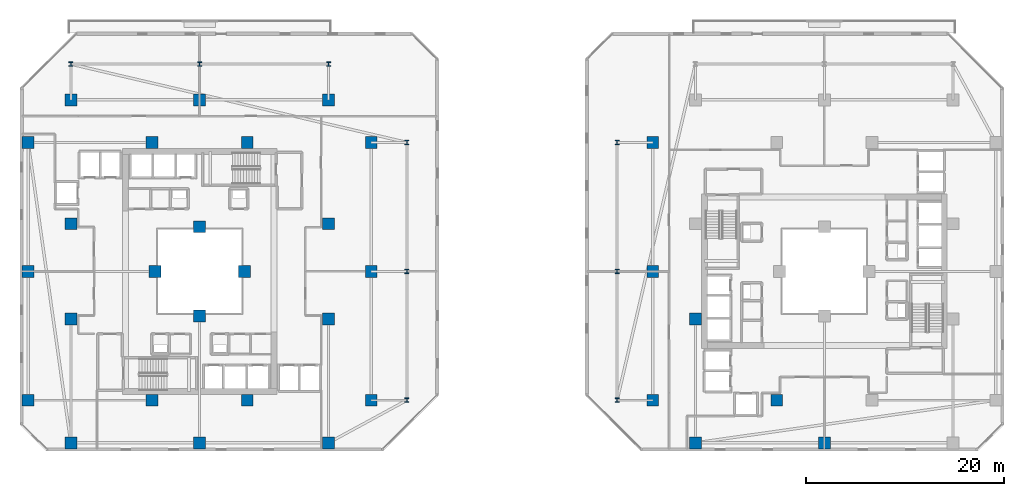
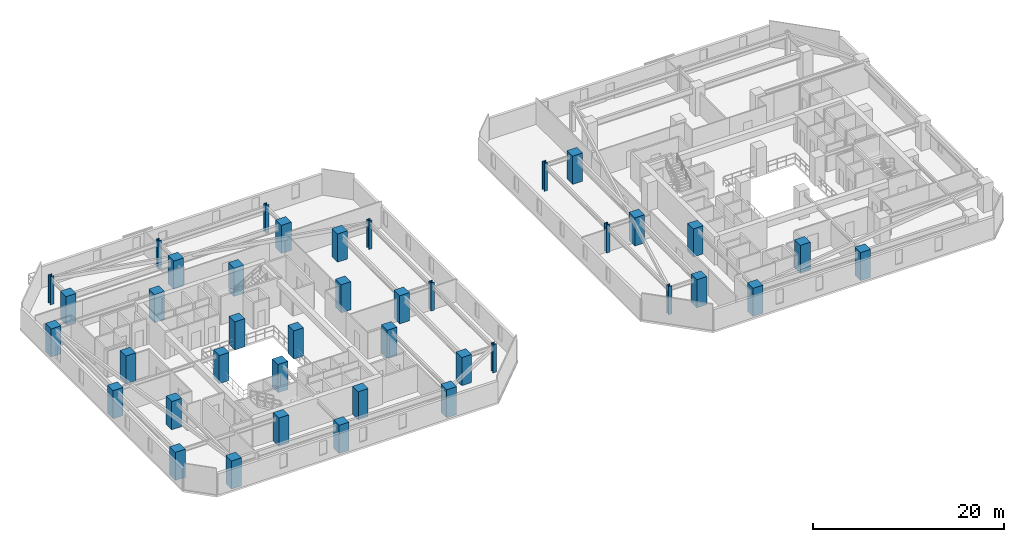
# One storey, part 1 of 29: 40 columns.
"""IFC4 building model written with IfcOpenShell, lengths in metres."""

from ifc_helpers import new_model, si_unit, direction, frame, origin, origin_2d, place, context, subcontext, project, spatial, rectangle, i_section, extrude, material, material_profile, profile_set, type_object, element, save


model = new_model("IFC4")

# Units and contexts
model_context = context("Model", 3, precision=1e-05, world=origin(), true_north=direction((0.0, 1.0)))
body_context = subcontext(model_context, "Body", "Model", "MODEL_VIEW")
ifc_project = project(units=[si_unit("LENGTHUNIT", "METRE"), si_unit("AREAUNIT", "SQUARE_METRE"), si_unit("VOLUMEUNIT", "CUBIC_METRE"), si_unit("PLANEANGLEUNIT", "RADIAN"), si_unit("MASSUNIT", "GRAM", prefix="KILO")], contexts=[model_context])

# Site, building, storey
site_placement = place(None, origin())
site = spatial("IfcSite", under=ifc_project, at=site_placement, CompositionType="ELEMENT")
building_placement = place(site_placement, origin())
building = spatial("IfcBuilding", under=site, at=building_placement, Name="Thornwick Lancets Civic Towers", CompositionType="ELEMENT")
storey_placement = place(building_placement, frame((0.0, 0.0, 83.699951171875)))
storey = spatial("IfcBuildingStorey", under=building, at=storey_placement, Name="L21", CompositionType="ELEMENT", Elevation=83.699951171875)

# Columns
ifc_material_1 = material(Name="Concrete C60/75", Category="concrete")
ifc_material_profile_1 = material_profile(ifc_material_1, rectangle(XDim=1.199951171875, YDim=1.199951171875, at=origin_2d()), Name="RC 1200x1200")
ifc_profile_set_1 = profile_set([ifc_material_profile_1], Name="Concrete C60/75")
column_type_1 = type_object("IfcColumnType", Name="COL_RC_1200", PredefinedType="COLUMN", material=ifc_profile_set_1)
for number, where, z_axis, x_axis, name in (
    (1, (12.5, 9.699951171875, 0.0), (0.0, 0.0, 1.0), (1.0, 0.0, 0.0), "L21 Spine Mega-Column A01"),
    (2, (25.5, 9.699951171875, 0.0), (0.0, 0.0, 1.0), (1.0, 0.0, 0.0), "L21 Spine Mega-Column A02"),
    (3, (38.5, 9.699951171875, 0.0), (0.0, 0.0, 1.0), (1.0, 0.0, 0.0), "L21 Spine Mega-Column A03"),
    (4, (42.800048828125, 14.0, 0.0), (0.0, 0.0, 1.0), (1.0, 0.0, 0.0), "L21 Spine Mega-Column A04"),
    (5, (42.800048828125, 27.0, 0.0), (0.0, 0.0, 1.0), (1.0, 0.0, 0.0), "L21 Spine Mega-Column A05"),
    (6, (42.800048828125, 40.0, 0.0), (0.0, 0.0, 1.0), (1.0, 0.0, 0.0), "L21 Spine Mega-Column A06"),
    (7, (12.5, 44.300048828125, 0.0), (0.0, 0.0, 1.0), (1.0, 0.0, 0.0), "L21 Spine Mega-Column A07"),
    (8, (25.5, 44.300048828125, 0.0), (0.0, 0.0, 1.0), (1.0, 0.0, 0.0), "L21 Spine Mega-Column A08"),
    (9, (38.5, 44.300048828125, 0.0), (0.0, 0.0, 1.0), (1.0, 0.0, 0.0), "L21 Spine Mega-Column A09"),
    (10, (8.199951171875, 14.0, 0.0), (0.0, 0.0, 1.0), (1.0, 0.0, 0.0), "L21 Spine Mega-Column A10"),
    (11, (8.199951171875, 27.0, 0.0), (0.0, 0.0, 1.0), (1.0, 0.0, 0.0), "L21 Spine Mega-Column A11"),
    (12, (8.199951171875, 40.0, 0.0), (0.0, 0.0, 1.0), (1.0, 0.0, 0.0), "L21 Spine Mega-Column A12"),
    (13, (12.5, 22.199951171875, 0.0), (0.0, 0.0, 1.0), (1.0, 0.0, 0.0), "L21 Spine Mega-Column A13"),
    (14, (38.5, 22.199951171875, 0.0), (0.0, 0.0, 1.0), (1.0, 0.0, 0.0), "L21 Spine Mega-Column A14"),
    (15, (12.5, 31.800048828125, 0.0), (0.0, 0.0, 1.0), (1.0, 0.0, 0.0), "L21 Spine Mega-Column A15"),
    (16, (38.5, 31.800048828125, 0.0), (0.0, 0.0, 1.0), (1.0, 0.0, 0.0), "L21 Spine Mega-Column A16"),
    (17, (20.699951171875, 14.0, 0.0), (0.0, 0.0, 1.0), (1.0, 0.0, 0.0), "L21 Spine Mega-Column A17"),
    (18, (30.300048828125, 14.0, 0.0), (0.0, 0.0, 1.0), (1.0, 0.0, 0.0), "L21 Spine Mega-Column A18"),
    (19, (20.699951171875, 40.0, 0.0), (0.0, 0.0, 1.0), (1.0, 0.0, 0.0), "L21 Spine Mega-Column A19"),
    (20, (30.300048828125, 40.0, 0.0), (0.0, 0.0, 1.0), (1.0, 0.0, 0.0), "L21 Spine Mega-Column A20"),
    (21, (25.5, 22.5, 0.0), (0.0, 0.0, 1.0), (1.0, 0.0, 0.0), "L21 Spine Mega-Column A21"),
    (22, (25.5, 31.5, 0.0), (0.0, 0.0, 1.0), (1.0, 0.0, 0.0), "L21 Spine Mega-Column A22"),
    (23, (21.0, 27.0, 0.0), (0.0, 0.0, 1.0), (1.0, 0.0, 0.0), "L21 Spine Mega-Column A23"),
    (24, (30.0, 27.0, 0.0), (0.0, 0.0, 1.0), (1.0, 0.0, 0.0), "L21 Spine Mega-Column A24"),
    (25, (71.199951171875, 14.0, 0.0), (0.0, 0.0, 1.0), (1.0, 0.0, 0.0), "L21 Spine Mega-Column B07"),
    (26, (71.199951171875, 27.0, 0.0), (0.0, 0.0, 1.0), (1.0, 0.0, 0.0), "L21 Spine Mega-Column B08"),
    (27, (71.199951171875, 40.0, 0.0), (0.0, 0.0, 1.0), (1.0, 0.0, 0.0), "L21 Spine Mega-Column B09"),
    (28, (88.5, 9.699951171875, 0.0), (0.0, 0.0, 1.0), (1.0, 0.0, 0.0), "L21 Spine Mega-Column B11"),
    (29, (75.5, 9.699951171875, 0.0), (0.0, 0.0, 1.0), (1.0, 0.0, 0.0), "L21 Spine Mega-Column B12"),
    (30, (83.699951171875, 14.0, 0.0), (0.0, 0.0, 1.0), (1.0, 0.0, 0.0), "L21 Spine Mega-Column B15"),
    (31, (75.5, 22.199951171875, 0.0), (0.0, 0.0, 1.0), (1.0, 0.0, 0.0), "L21 Spine Mega-Column B19"),
):
    element("IfcColumn", number, at=place(storey_placement, frame(where, z_axis=z_axis, x_axis=x_axis)), inside=storey, type_object=column_type_1, Name=name, PredefinedType="COLUMN", context=body_context, shape_type="SweptSolid", body=[
        extrude(rectangle(XDim=1.199951171875, YDim=1.199951171875, at=origin_2d()), origin(), (0.0, 0.0, 1.0), 3.60009765625),
    ])
ifc_material_2 = material(Name="Steel S460M", Category="steel")
ifc_material_profile_2 = material_profile(ifc_material_2, i_section(OverallWidth=0.41845703125, OverallDepth=0.45556640625, WebThickness=0.0419921875, FlangeThickness=0.0673828125, FilletRadius=0.01513671875, at=origin_2d()), Name="UKC 356x406x551")
ifc_profile_set_2 = profile_set([ifc_material_profile_2], Name="Steel S460M")
column_type_2 = type_object("IfcColumnType", Name="COL_UKC_551", PredefinedType="COLUMN", material=ifc_profile_set_2)
for number, where, z_axis, x_axis, name in (
    (32, (46.39990234375, 14.0, 0.0), (0.0, 0.0, 1.0), (1.0, 0.0, 0.0), "L21 Block Perimeter Column A04"),
    (33, (46.39990234375, 27.0, 0.0), (0.0, 0.0, 1.0), (1.0, 0.0, 0.0), "L21 Block Perimeter Column A05"),
    (34, (46.39990234375, 40.0, 0.0), (0.0, 0.0, 1.0), (1.0, 0.0, 0.0), "L21 Block Perimeter Column A06"),
    (35, (12.5, 47.89990234375, 0.0), (0.0, 0.0, 1.0), (1.0, 0.0, 0.0), "L21 Block Perimeter Column A07"),
    (36, (25.5, 47.89990234375, 0.0), (0.0, 0.0, 1.0), (1.0, 0.0, 0.0), "L21 Block Perimeter Column A08"),
    (37, (38.5, 47.89990234375, 0.0), (0.0, 0.0, 1.0), (1.0, 0.0, 0.0), "L21 Block Perimeter Column A09"),
    (38, (67.60009765625, 14.0, 0.0), (0.0, 0.0, 1.0), (1.0, 0.0, 0.0), "L21 Block Perimeter Column B07"),
    (39, (67.60009765625, 27.0, 0.0), (0.0, 0.0, 1.0), (1.0, 0.0, 0.0), "L21 Block Perimeter Column B08"),
    (40, (67.60009765625, 40.0, 0.0), (0.0, 0.0, 1.0), (1.0, 0.0, 0.0), "L21 Block Perimeter Column B09"),
):
    element("IfcColumn", number, at=place(storey_placement, frame(where, z_axis=z_axis, x_axis=x_axis)), inside=storey, type_object=column_type_2, Name=name, PredefinedType="COLUMN", context=body_context, shape_type="SweptSolid", body=[
        extrude(i_section(OverallWidth=0.41845703125, OverallDepth=0.45556640625, WebThickness=0.0419921875, FlangeThickness=0.0673828125, FilletRadius=0.01513671875, at=origin_2d()), origin(), (0.0, 0.0, 1.0), 3.60009765625),
    ])

save(model, "model.ifc")
